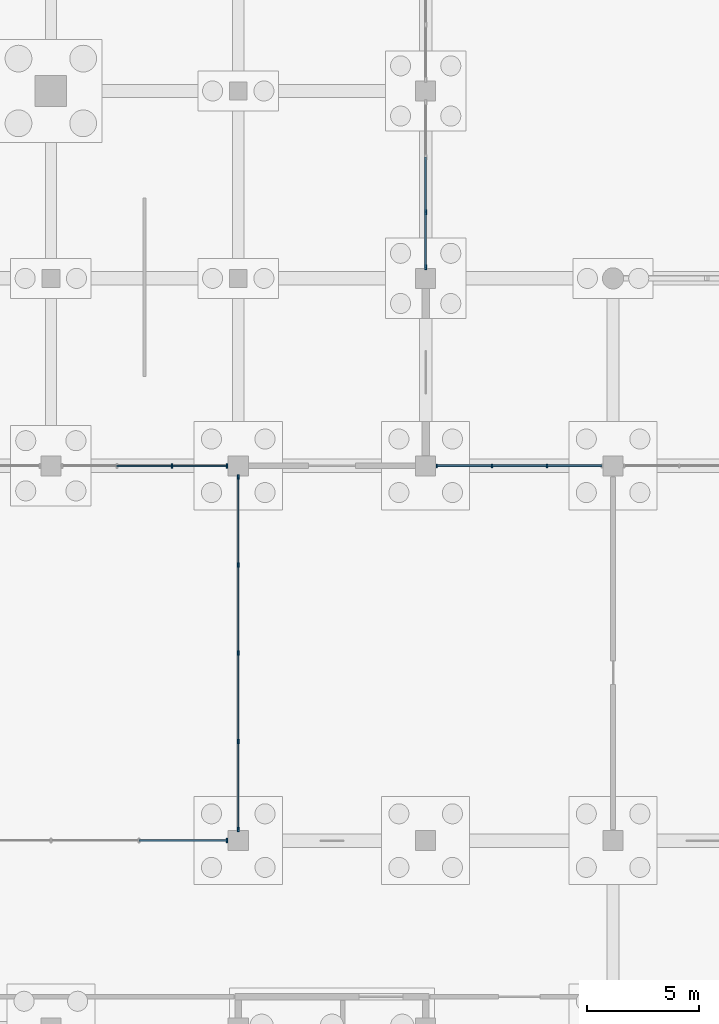
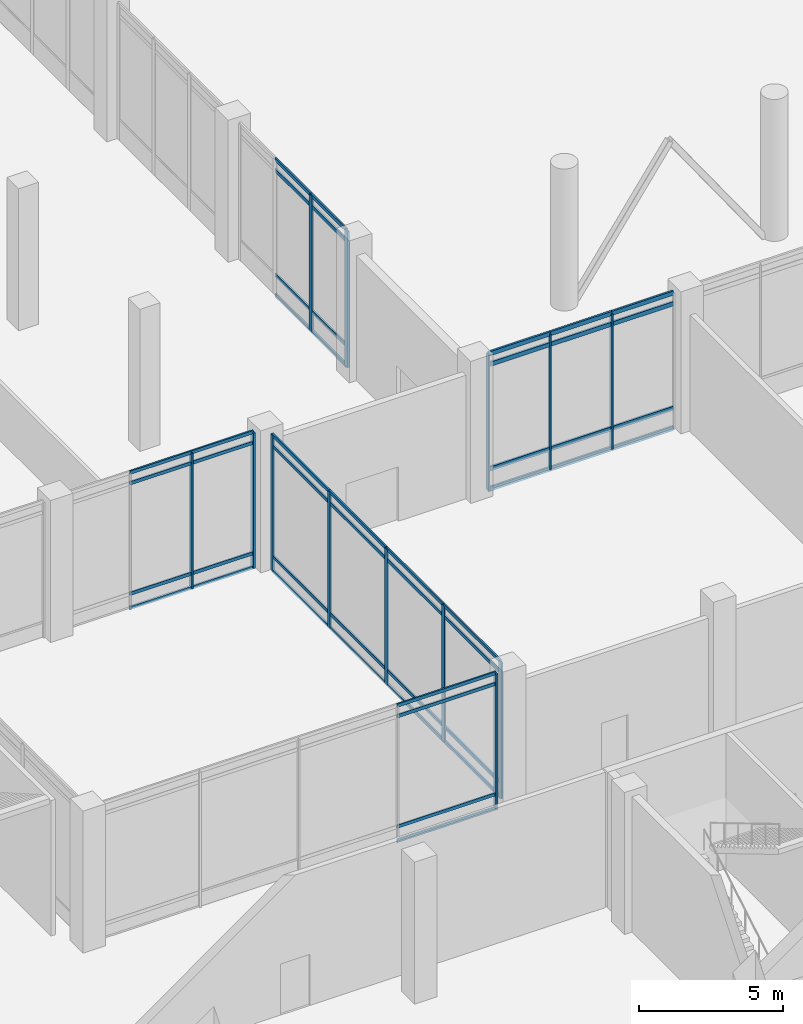
# One storey, part 21 of 72: 61 members, 5 elements without a shape of their own.
"""IFC4 building model written with IfcOpenShell, lengths in metres."""

from ifc_helpers import new_model, si_unit, direction, frame, origin, origin_2d, place, context, subcontext, project, spatial, rectangle, extrude, material, layer, layer_set, material_profile, profile_set, type_object, element, aggregate, save


model = new_model("IFC4")

# Units and contexts
model_context = context("Model", 3, precision=1e-05, world=origin(), true_north=direction((0.0, 1.0)))
body_context = subcontext(model_context, "Body", "Model", "MODEL_VIEW")
ifc_project = project(units=[si_unit("LENGTHUNIT", "METRE"), si_unit("AREAUNIT", "SQUARE_METRE"), si_unit("VOLUMEUNIT", "CUBIC_METRE"), si_unit("PLANEANGLEUNIT", "RADIAN"), si_unit("MASSUNIT", "GRAM", prefix="KILO")], contexts=[model_context])

# Site, building, storey
site_placement = place(None, origin())
site = spatial("IfcSite", under=ifc_project, at=site_placement, CompositionType="ELEMENT")
building_placement = place(site_placement, origin())
building = spatial("IfcBuilding", under=site, at=building_placement, Name="Qawsi Khor Wholesale Market", CompositionType="ELEMENT")
storey_placement = place(building_placement, origin())
storey = spatial("IfcBuildingStorey", under=building, at=storey_placement, Name="L00", CompositionType="ELEMENT", Elevation=0.0)

# Curtain wall, member
ifc_material = material(Name="Aluminium Anodised Bronze", Category="aluminium")
ifc_layer_1 = layer(ifc_material, 0.179931640625, Name="Aluminium Anodised Bronze")
ifc_layer_set_1 = layer_set([ifc_layer_1], Name="Aluminium Anodised Bronze")
curtain_wall_type_1 = type_object("IfcCurtainWallType", Name="Atrium Full-Height Curtain Wall CW-02", PredefinedType="NOTDEFINED", material=ifc_layer_set_1)
curtain_wall_1_placement = place(storey_placement, origin())
curtain_wall_1 = element("IfcCurtainWall", 1, at=curtain_wall_1_placement, inside=storey, type_object=curtain_wall_type_1, Name="Curtain wall CW-CW-02-L00-011", PredefinedType="NOTDEFINED")
ifc_material_profile_1 = material_profile(ifc_material, rectangle(XDim=0.070068359375, YDim=0.199951171875, at=origin_2d()), Name="ALU MULLION 70x200")
ifc_profile_set_1 = profile_set([ifc_material_profile_1], Name="Aluminium Anodised Bronze")
member_type_1 = type_object("IfcMemberType", Name="Curtain Wall Mullion CW-02 ALU MULLION 70x200", PredefinedType="MULLION", material=ifc_profile_set_1)
member_1_placement = place(storey_placement, frame((66.705078125, 25.199951171875, -0.02001953125), z_axis=(0.0, 0.0, 1.0), x_axis=(1.0, 0.0, 0.0)))
member_1 = element("IfcMember", 2, at=member_1_placement, type_object=member_type_1, Name="Mullion CW-CW-02-L00-011-M04", PredefinedType="MULLION", context=body_context, shape_type="SweptSolid", body=[
    extrude(rectangle(XDim=0.070068359375, YDim=0.199951171875, at=origin_2d()), origin(), (0.0, 0.0, 1.0), 5.739990234375),
])

# Curtain wall, members
curtain_wall_2_placement = place(storey_placement, origin())
curtain_wall_2 = element("IfcCurtainWall", 3, at=curtain_wall_2_placement, inside=storey, type_object=curtain_wall_type_1, Name="Curtain wall CW-CW-02-L00-013", PredefinedType="NOTDEFINED")
member_2_placement = place(storey_placement, frame((64.235107421875, 42.0, -0.02001953125), z_axis=(0.0, 0.0, 1.0), x_axis=(1.0, 0.0, 0.0)))
member_2 = element("IfcMember", 4, at=member_2_placement, type_object=member_type_1, Name="Mullion CW-CW-02-L00-013-M02", PredefinedType="MULLION", context=body_context, shape_type="SweptSolid", body=[
    extrude(rectangle(XDim=0.070068359375, YDim=0.199951171875, at=origin_2d()), origin(), (0.0, 0.0, 1.0), 5.739990234375),
])
member_3_placement = place(storey_placement, frame((66.705078125, 42.0, -0.02001953125), z_axis=(0.0, 0.0, 1.0), x_axis=(1.0, 0.0, 0.0)))
member_3 = element("IfcMember", 5, at=member_3_placement, type_object=member_type_1, Name="Mullion CW-CW-02-L00-013-M03", PredefinedType="MULLION", context=body_context, shape_type="SweptSolid", body=[
    extrude(rectangle(XDim=0.070068359375, YDim=0.199951171875, at=origin_2d()), origin(), (0.0, 0.0, 1.0), 5.739990234375),
])

curtain_wall_3_placement = place(storey_placement, origin())
curtain_wall_3 = element("IfcCurtainWall", 6, at=curtain_wall_3_placement, inside=storey, type_object=curtain_wall_type_1, Name="Curtain wall CW-CW-02-L00-015", PredefinedType="NOTDEFINED")
member_4_placement = place(storey_placement, frame((67.199951171875, 25.695068359375, -0.02001953125), z_axis=(0.0, 0.0, 1.0), x_axis=(1.0, 0.0, 0.0)))
member_4 = element("IfcMember", 7, at=member_4_placement, type_object=member_type_1, Name="Mullion CW-CW-02-L00-015-M00", PredefinedType="MULLION", context=body_context, shape_type="SweptSolid", body=[
    extrude(rectangle(XDim=0.070068359375, YDim=0.199951171875, at=origin_2d()), origin(), (0.0, 0.0, 1.0), 5.739990234375),
])
member_5_placement = place(storey_placement, frame((67.199951171875, 29.6474609375, -0.02001953125), z_axis=(0.0, 0.0, 1.0), x_axis=(1.0, 0.0, 0.0)))
member_5 = element("IfcMember", 8, at=member_5_placement, type_object=member_type_1, Name="Mullion CW-CW-02-L00-015-M01", PredefinedType="MULLION", context=body_context, shape_type="SweptSolid", body=[
    extrude(rectangle(XDim=0.070068359375, YDim=0.199951171875, at=origin_2d()), origin(), (0.0, 0.0, 1.0), 5.739990234375),
])
member_6_placement = place(storey_placement, frame((67.199951171875, 33.60009765625, -0.02001953125), z_axis=(0.0, 0.0, 1.0), x_axis=(1.0, 0.0, 0.0)))
member_6 = element("IfcMember", 9, at=member_6_placement, type_object=member_type_1, Name="Mullion CW-CW-02-L00-015-M02", PredefinedType="MULLION", context=body_context, shape_type="SweptSolid", body=[
    extrude(rectangle(XDim=0.070068359375, YDim=0.199951171875, at=origin_2d()), origin(), (0.0, 0.0, 1.0), 5.739990234375),
])
member_7_placement = place(storey_placement, frame((67.199951171875, 37.552490234375, -0.02001953125), z_axis=(0.0, 0.0, 1.0), x_axis=(1.0, 0.0, 0.0)))
member_7 = element("IfcMember", 10, at=member_7_placement, type_object=member_type_1, Name="Mullion CW-CW-02-L00-015-M03", PredefinedType="MULLION", context=body_context, shape_type="SweptSolid", body=[
    extrude(rectangle(XDim=0.070068359375, YDim=0.199951171875, at=origin_2d()), origin(), (0.0, 0.0, 1.0), 5.739990234375),
])
member_8_placement = place(storey_placement, frame((67.199951171875, 41.5048828125, -0.02001953125), z_axis=(0.0, 0.0, 1.0), x_axis=(1.0, 0.0, 0.0)))
member_8 = element("IfcMember", 11, at=member_8_placement, type_object=member_type_1, Name="Mullion CW-CW-02-L00-015-M04", PredefinedType="MULLION", context=body_context, shape_type="SweptSolid", body=[
    extrude(rectangle(XDim=0.070068359375, YDim=0.199951171875, at=origin_2d()), origin(), (0.0, 0.0, 1.0), 5.739990234375),
])

ifc_layer_2 = layer(ifc_material, 0.199951171875, Name="Aluminium Anodised Bronze")
ifc_layer_set_2 = layer_set([ifc_layer_2], Name="Aluminium Anodised Bronze")
curtain_wall_type_2 = type_object("IfcCurtainWallType", Name="Trading Hall North-Light Curtain Wall CW-03", PredefinedType="NOTDEFINED", material=ifc_layer_set_2)
curtain_wall_4_placement = place(storey_placement, origin())
curtain_wall_4 = element("IfcCurtainWall", 12, at=curtain_wall_4_placement, inside=storey, type_object=curtain_wall_type_2, Name="Curtain wall CW-CW-03-L00-072", PredefinedType="NOTDEFINED")
ifc_material_profile_2 = material_profile(ifc_material, rectangle(XDim=0.074951171875, YDim=0.219970703125, at=origin_2d()), Name="ALU MULLION 75x220")
ifc_profile_set_2 = profile_set([ifc_material_profile_2], Name="Aluminium Anodised Bronze")
member_type_2 = type_object("IfcMemberType", Name="Curtain Wall Mullion CW-03 ALU MULLION 75x220", PredefinedType="MULLION", material=ifc_profile_set_2)
member_9_placement = place(storey_placement, frame((75.60009765625, 50.8974609375, -0.02001953125), z_axis=(0.0, 0.0, 1.0), x_axis=(1.0, 0.0, 0.0)))
member_9 = element("IfcMember", 13, at=member_9_placement, type_object=member_type_2, Name="Mullion CW-CW-03-L00-072-M00", PredefinedType="MULLION", context=body_context, shape_type="SweptSolid", body=[
    extrude(rectangle(XDim=0.074951171875, YDim=0.219970703125, at=origin_2d()), origin(), (0.0, 0.0, 1.0), 5.75),
])
member_10_placement = place(storey_placement, frame((75.60009765625, 53.36572265625, -0.02001953125), z_axis=(0.0, 0.0, 1.0), x_axis=(1.0, 0.0, 0.0)))
member_10 = element("IfcMember", 14, at=member_10_placement, type_object=member_type_2, Name="Mullion CW-CW-03-L00-072-M01", PredefinedType="MULLION", context=body_context, shape_type="SweptSolid", body=[
    extrude(rectangle(XDim=0.074951171875, YDim=0.219970703125, at=origin_2d()), origin(), (0.0, 0.0, 1.0), 5.75),
])

ifc_layer_3 = layer(ifc_material, 0.169921875, Name="Aluminium Anodised Bronze")
ifc_layer_set_3 = layer_set([ifc_layer_3], Name="Aluminium Anodised Bronze")
curtain_wall_type_3 = type_object("IfcCurtainWallType", Name="Central Court Gallery Curtain Wall CW-05", PredefinedType="NOTDEFINED", material=ifc_layer_set_3)
curtain_wall_5_placement = place(storey_placement, origin())
curtain_wall_5 = element("IfcCurtainWall", 15, at=curtain_wall_5_placement, inside=storey, type_object=curtain_wall_type_3, Name="Curtain wall CW-CW-05-L00-054", PredefinedType="NOTDEFINED")
ifc_material_profile_3 = material_profile(ifc_material, rectangle(XDim=0.06005859375, YDim=0.159912109375, at=origin_2d()), Name="ALU MULLION 60x160")
ifc_profile_set_3 = profile_set([ifc_material_profile_3], Name="Aluminium Anodised Bronze")
member_type_3 = type_object("IfcMemberType", Name="Curtain Wall Mullion CW-05 ALU MULLION 60x160", PredefinedType="MULLION", material=ifc_profile_set_3)
member_11_placement = place(storey_placement, frame((76.10009765625, 42.0, -0.02001953125), z_axis=(0.0, 0.0, 1.0), x_axis=(1.0, 0.0, 0.0)))
member_11 = element("IfcMember", 16, at=member_11_placement, type_object=member_type_3, Name="Mullion CW-CW-05-L00-054-M00", PredefinedType="MULLION", context=body_context, shape_type="SweptSolid", body=[
    extrude(rectangle(XDim=0.06005859375, YDim=0.159912109375, at=origin_2d()), origin(), (0.0, 0.0, 1.0), 5.739990234375),
])
member_12_placement = place(storey_placement, frame((78.566650390625, 42.0, -0.02001953125), z_axis=(0.0, 0.0, 1.0), x_axis=(1.0, 0.0, 0.0)))
member_12 = element("IfcMember", 17, at=member_12_placement, type_object=member_type_3, Name="Mullion CW-CW-05-L00-054-M01", PredefinedType="MULLION", context=body_context, shape_type="SweptSolid", body=[
    extrude(rectangle(XDim=0.06005859375, YDim=0.159912109375, at=origin_2d()), origin(), (0.0, 0.0, 1.0), 5.739990234375),
])
member_13_placement = place(storey_placement, frame((81.033203125, 42.0, -0.02001953125), z_axis=(0.0, 0.0, 1.0), x_axis=(1.0, 0.0, 0.0)))
member_13 = element("IfcMember", 18, at=member_13_placement, type_object=member_type_3, Name="Mullion CW-CW-05-L00-054-M02", PredefinedType="MULLION", context=body_context, shape_type="SweptSolid", body=[
    extrude(rectangle(XDim=0.06005859375, YDim=0.159912109375, at=origin_2d()), origin(), (0.0, 0.0, 1.0), 5.739990234375),
])

# Member
ifc_material_profile_4 = material_profile(ifc_material, rectangle(XDim=0.06494140625, YDim=0.139892578125, at=origin_2d()), Name="ALU TRANSOM 65x140")
ifc_profile_set_4 = profile_set([ifc_material_profile_4], Name="Aluminium Anodised Bronze")
member_type_4 = type_object("IfcMemberType", Name="Curtain Wall Transom CW-02 ALU TRANSOM 65x140", PredefinedType="USERDEFINED", material=ifc_profile_set_4)
member_14_placement = place(storey_placement, frame((62.75244140625, 25.199951171875, 0.0), z_axis=(1.0, 0.0, 0.0), x_axis=(0.0, 1.0, 0.0)))
member_14 = element("IfcMember", 19, at=member_14_placement, type_object=member_type_4, Name="Transom CW-CW-02-L00-011-T0_03", ObjectType="TRANSOM", PredefinedType="USERDEFINED", context=body_context, shape_type="SweptSolid", body=[
    extrude(rectangle(XDim=0.06494140625, YDim=0.139892578125, at=origin_2d()), origin(), (0.0, 0.0, 1.0), 3.95263671875),
])

member_15_placement = place(storey_placement, frame((62.75244140625, 25.199951171875, 0.60009765625), z_axis=(1.0, 0.0, 0.0), x_axis=(0.0, 1.0, 0.0)))
member_15 = element("IfcMember", 20, at=member_15_placement, type_object=member_type_4, Name="Transom CW-CW-02-L00-011-T1_03", ObjectType="TRANSOM", PredefinedType="USERDEFINED", context=body_context, shape_type="SweptSolid", body=[
    extrude(rectangle(XDim=0.06494140625, YDim=0.139892578125, at=origin_2d()), origin(), (0.0, 0.0, 1.0), 3.95263671875),
])

member_16_placement = place(storey_placement, frame((62.75244140625, 25.199951171875, 5.27001953125), z_axis=(1.0, 0.0, 0.0), x_axis=(0.0, 1.0, 0.0)))
member_16 = element("IfcMember", 21, at=member_16_placement, type_object=member_type_4, Name="Transom CW-CW-02-L00-011-T2_03", ObjectType="TRANSOM", PredefinedType="USERDEFINED", context=body_context, shape_type="SweptSolid", body=[
    extrude(rectangle(XDim=0.06494140625, YDim=0.139892578125, at=origin_2d()), origin(), (0.0, 0.0, 1.0), 3.95263671875),
])

member_17_placement = place(storey_placement, frame((62.75244140625, 25.199951171875, 5.719970703125), z_axis=(1.0, 0.0, 0.0), x_axis=(0.0, 1.0, 0.0)))
member_17 = element("IfcMember", 22, at=member_17_placement, type_object=member_type_4, Name="Transom CW-CW-02-L00-011-T3_03", ObjectType="TRANSOM", PredefinedType="USERDEFINED", context=body_context, shape_type="SweptSolid", body=[
    extrude(rectangle(XDim=0.06494140625, YDim=0.139892578125, at=origin_2d()), origin(), (0.0, 0.0, 1.0), 3.95263671875),
])

aggregate(curtain_wall_1, [member_1, member_14, member_15, member_16, member_17])

member_18_placement = place(storey_placement, frame((61.764892578125, 42.0, 0.0), z_axis=(1.0, 0.0, 0.0), x_axis=(0.0, 1.0, 0.0)))
member_18 = element("IfcMember", 23, at=member_18_placement, type_object=member_type_4, Name="Transom CW-CW-02-L00-013-T0_01", ObjectType="TRANSOM", PredefinedType="USERDEFINED", context=body_context, shape_type="SweptSolid", body=[
    extrude(rectangle(XDim=0.06494140625, YDim=0.139892578125, at=origin_2d()), origin(), (0.0, 0.0, 1.0), 2.47021484375),
])

member_19_placement = place(storey_placement, frame((64.235107421875, 42.0, 0.0), z_axis=(1.0, 0.0, 0.0), x_axis=(0.0, 1.0, 0.0)))
member_19 = element("IfcMember", 24, at=member_19_placement, type_object=member_type_4, Name="Transom CW-CW-02-L00-013-T0_02", ObjectType="TRANSOM", PredefinedType="USERDEFINED", context=body_context, shape_type="SweptSolid", body=[
    extrude(rectangle(XDim=0.06494140625, YDim=0.139892578125, at=origin_2d()), origin(), (0.0, 0.0, 1.0), 2.469970703125),
])

member_20_placement = place(storey_placement, frame((61.764892578125, 42.0, 0.60009765625), z_axis=(1.0, 0.0, 0.0), x_axis=(0.0, 1.0, 0.0)))
member_20 = element("IfcMember", 25, at=member_20_placement, type_object=member_type_4, Name="Transom CW-CW-02-L00-013-T1_01", ObjectType="TRANSOM", PredefinedType="USERDEFINED", context=body_context, shape_type="SweptSolid", body=[
    extrude(rectangle(XDim=0.06494140625, YDim=0.139892578125, at=origin_2d()), origin(), (0.0, 0.0, 1.0), 2.47021484375),
])

member_21_placement = place(storey_placement, frame((64.235107421875, 42.0, 0.60009765625), z_axis=(1.0, 0.0, 0.0), x_axis=(0.0, 1.0, 0.0)))
member_21 = element("IfcMember", 26, at=member_21_placement, type_object=member_type_4, Name="Transom CW-CW-02-L00-013-T1_02", ObjectType="TRANSOM", PredefinedType="USERDEFINED", context=body_context, shape_type="SweptSolid", body=[
    extrude(rectangle(XDim=0.06494140625, YDim=0.139892578125, at=origin_2d()), origin(), (0.0, 0.0, 1.0), 2.469970703125),
])

member_22_placement = place(storey_placement, frame((61.764892578125, 42.0, 5.27001953125), z_axis=(1.0, 0.0, 0.0), x_axis=(0.0, 1.0, 0.0)))
member_22 = element("IfcMember", 27, at=member_22_placement, type_object=member_type_4, Name="Transom CW-CW-02-L00-013-T2_01", ObjectType="TRANSOM", PredefinedType="USERDEFINED", context=body_context, shape_type="SweptSolid", body=[
    extrude(rectangle(XDim=0.06494140625, YDim=0.139892578125, at=origin_2d()), origin(), (0.0, 0.0, 1.0), 2.47021484375),
])

member_23_placement = place(storey_placement, frame((64.235107421875, 42.0, 5.27001953125), z_axis=(1.0, 0.0, 0.0), x_axis=(0.0, 1.0, 0.0)))
member_23 = element("IfcMember", 28, at=member_23_placement, type_object=member_type_4, Name="Transom CW-CW-02-L00-013-T2_02", ObjectType="TRANSOM", PredefinedType="USERDEFINED", context=body_context, shape_type="SweptSolid", body=[
    extrude(rectangle(XDim=0.06494140625, YDim=0.139892578125, at=origin_2d()), origin(), (0.0, 0.0, 1.0), 2.469970703125),
])

member_24_placement = place(storey_placement, frame((61.764892578125, 42.0, 5.719970703125), z_axis=(1.0, 0.0, 0.0), x_axis=(0.0, 1.0, 0.0)))
member_24 = element("IfcMember", 29, at=member_24_placement, type_object=member_type_4, Name="Transom CW-CW-02-L00-013-T3_01", ObjectType="TRANSOM", PredefinedType="USERDEFINED", context=body_context, shape_type="SweptSolid", body=[
    extrude(rectangle(XDim=0.06494140625, YDim=0.139892578125, at=origin_2d()), origin(), (0.0, 0.0, 1.0), 2.47021484375),
])

member_25_placement = place(storey_placement, frame((64.235107421875, 42.0, 5.719970703125), z_axis=(1.0, 0.0, 0.0), x_axis=(0.0, 1.0, 0.0)))
member_25 = element("IfcMember", 30, at=member_25_placement, type_object=member_type_4, Name="Transom CW-CW-02-L00-013-T3_02", ObjectType="TRANSOM", PredefinedType="USERDEFINED", context=body_context, shape_type="SweptSolid", body=[
    extrude(rectangle(XDim=0.06494140625, YDim=0.139892578125, at=origin_2d()), origin(), (0.0, 0.0, 1.0), 2.469970703125),
])

aggregate(curtain_wall_2, [member_2, member_3, member_18, member_19, member_20, member_21, member_22, member_23, member_24, member_25])

member_26_placement = place(storey_placement, frame((67.199951171875, 25.695068359375, 0.0), z_axis=(0.0, 1.0, 0.0), x_axis=(-1.0, 0.0, 0.0)))
member_26 = element("IfcMember", 31, at=member_26_placement, type_object=member_type_4, Name="Transom CW-CW-02-L00-015-T0_00", ObjectType="TRANSOM", PredefinedType="USERDEFINED", context=body_context, shape_type="SweptSolid", body=[
    extrude(rectangle(XDim=0.06494140625, YDim=0.139892578125, at=origin_2d()), origin(), (0.0, 0.0, 1.0), 3.952392578125),
])

member_27_placement = place(storey_placement, frame((67.199951171875, 29.6474609375, 0.0), z_axis=(0.0, 1.0, 0.0), x_axis=(-1.0, 0.0, 0.0)))
member_27 = element("IfcMember", 32, at=member_27_placement, type_object=member_type_4, Name="Transom CW-CW-02-L00-015-T0_01", ObjectType="TRANSOM", PredefinedType="USERDEFINED", context=body_context, shape_type="SweptSolid", body=[
    extrude(rectangle(XDim=0.06494140625, YDim=0.139892578125, at=origin_2d()), origin(), (0.0, 0.0, 1.0), 3.95263671875),
])

member_28_placement = place(storey_placement, frame((67.199951171875, 33.60009765625, 0.0), z_axis=(0.0, 1.0, 0.0), x_axis=(-1.0, 0.0, 0.0)))
member_28 = element("IfcMember", 33, at=member_28_placement, type_object=member_type_4, Name="Transom CW-CW-02-L00-015-T0_02", ObjectType="TRANSOM", PredefinedType="USERDEFINED", context=body_context, shape_type="SweptSolid", body=[
    extrude(rectangle(XDim=0.06494140625, YDim=0.139892578125, at=origin_2d()), origin(), (0.0, 0.0, 1.0), 3.952392578125),
])

member_29_placement = place(storey_placement, frame((67.199951171875, 37.552490234375, 0.0), z_axis=(0.0, 1.0, 0.0), x_axis=(-1.0, 0.0, 0.0)))
member_29 = element("IfcMember", 34, at=member_29_placement, type_object=member_type_4, Name="Transom CW-CW-02-L00-015-T0_03", ObjectType="TRANSOM", PredefinedType="USERDEFINED", context=body_context, shape_type="SweptSolid", body=[
    extrude(rectangle(XDim=0.06494140625, YDim=0.139892578125, at=origin_2d()), origin(), (0.0, 0.0, 1.0), 3.952392578125),
])

member_30_placement = place(storey_placement, frame((67.199951171875, 25.695068359375, 0.60009765625), z_axis=(0.0, 1.0, 0.0), x_axis=(-1.0, 0.0, 0.0)))
member_30 = element("IfcMember", 35, at=member_30_placement, type_object=member_type_4, Name="Transom CW-CW-02-L00-015-T1_00", ObjectType="TRANSOM", PredefinedType="USERDEFINED", context=body_context, shape_type="SweptSolid", body=[
    extrude(rectangle(XDim=0.06494140625, YDim=0.139892578125, at=origin_2d()), origin(), (0.0, 0.0, 1.0), 3.952392578125),
])

member_31_placement = place(storey_placement, frame((67.199951171875, 29.6474609375, 0.60009765625), z_axis=(0.0, 1.0, 0.0), x_axis=(-1.0, 0.0, 0.0)))
member_31 = element("IfcMember", 36, at=member_31_placement, type_object=member_type_4, Name="Transom CW-CW-02-L00-015-T1_01", ObjectType="TRANSOM", PredefinedType="USERDEFINED", context=body_context, shape_type="SweptSolid", body=[
    extrude(rectangle(XDim=0.06494140625, YDim=0.139892578125, at=origin_2d()), origin(), (0.0, 0.0, 1.0), 3.95263671875),
])

member_32_placement = place(storey_placement, frame((67.199951171875, 33.60009765625, 0.60009765625), z_axis=(0.0, 1.0, 0.0), x_axis=(-1.0, 0.0, 0.0)))
member_32 = element("IfcMember", 37, at=member_32_placement, type_object=member_type_4, Name="Transom CW-CW-02-L00-015-T1_02", ObjectType="TRANSOM", PredefinedType="USERDEFINED", context=body_context, shape_type="SweptSolid", body=[
    extrude(rectangle(XDim=0.06494140625, YDim=0.139892578125, at=origin_2d()), origin(), (0.0, 0.0, 1.0), 3.952392578125),
])

member_33_placement = place(storey_placement, frame((67.199951171875, 37.552490234375, 0.60009765625), z_axis=(0.0, 1.0, 0.0), x_axis=(-1.0, 0.0, 0.0)))
member_33 = element("IfcMember", 38, at=member_33_placement, type_object=member_type_4, Name="Transom CW-CW-02-L00-015-T1_03", ObjectType="TRANSOM", PredefinedType="USERDEFINED", context=body_context, shape_type="SweptSolid", body=[
    extrude(rectangle(XDim=0.06494140625, YDim=0.139892578125, at=origin_2d()), origin(), (0.0, 0.0, 1.0), 3.952392578125),
])

member_34_placement = place(storey_placement, frame((67.199951171875, 25.695068359375, 5.27001953125), z_axis=(0.0, 1.0, 0.0), x_axis=(-1.0, 0.0, 0.0)))
member_34 = element("IfcMember", 39, at=member_34_placement, type_object=member_type_4, Name="Transom CW-CW-02-L00-015-T2_00", ObjectType="TRANSOM", PredefinedType="USERDEFINED", context=body_context, shape_type="SweptSolid", body=[
    extrude(rectangle(XDim=0.06494140625, YDim=0.139892578125, at=origin_2d()), origin(), (0.0, 0.0, 1.0), 3.952392578125),
])

member_35_placement = place(storey_placement, frame((67.199951171875, 29.6474609375, 5.27001953125), z_axis=(0.0, 1.0, 0.0), x_axis=(-1.0, 0.0, 0.0)))
member_35 = element("IfcMember", 40, at=member_35_placement, type_object=member_type_4, Name="Transom CW-CW-02-L00-015-T2_01", ObjectType="TRANSOM", PredefinedType="USERDEFINED", context=body_context, shape_type="SweptSolid", body=[
    extrude(rectangle(XDim=0.06494140625, YDim=0.139892578125, at=origin_2d()), origin(), (0.0, 0.0, 1.0), 3.95263671875),
])

member_36_placement = place(storey_placement, frame((67.199951171875, 33.60009765625, 5.27001953125), z_axis=(0.0, 1.0, 0.0), x_axis=(-1.0, 0.0, 0.0)))
member_36 = element("IfcMember", 41, at=member_36_placement, type_object=member_type_4, Name="Transom CW-CW-02-L00-015-T2_02", ObjectType="TRANSOM", PredefinedType="USERDEFINED", context=body_context, shape_type="SweptSolid", body=[
    extrude(rectangle(XDim=0.06494140625, YDim=0.139892578125, at=origin_2d()), origin(), (0.0, 0.0, 1.0), 3.952392578125),
])

member_37_placement = place(storey_placement, frame((67.199951171875, 37.552490234375, 5.27001953125), z_axis=(0.0, 1.0, 0.0), x_axis=(-1.0, 0.0, 0.0)))
member_37 = element("IfcMember", 42, at=member_37_placement, type_object=member_type_4, Name="Transom CW-CW-02-L00-015-T2_03", ObjectType="TRANSOM", PredefinedType="USERDEFINED", context=body_context, shape_type="SweptSolid", body=[
    extrude(rectangle(XDim=0.06494140625, YDim=0.139892578125, at=origin_2d()), origin(), (0.0, 0.0, 1.0), 3.952392578125),
])

member_38_placement = place(storey_placement, frame((67.199951171875, 25.695068359375, 5.719970703125), z_axis=(0.0, 1.0, 0.0), x_axis=(-1.0, 0.0, 0.0)))
member_38 = element("IfcMember", 43, at=member_38_placement, type_object=member_type_4, Name="Transom CW-CW-02-L00-015-T3_00", ObjectType="TRANSOM", PredefinedType="USERDEFINED", context=body_context, shape_type="SweptSolid", body=[
    extrude(rectangle(XDim=0.06494140625, YDim=0.139892578125, at=origin_2d()), origin(), (0.0, 0.0, 1.0), 3.952392578125),
])

member_39_placement = place(storey_placement, frame((67.199951171875, 29.6474609375, 5.719970703125), z_axis=(0.0, 1.0, 0.0), x_axis=(-1.0, 0.0, 0.0)))
member_39 = element("IfcMember", 44, at=member_39_placement, type_object=member_type_4, Name="Transom CW-CW-02-L00-015-T3_01", ObjectType="TRANSOM", PredefinedType="USERDEFINED", context=body_context, shape_type="SweptSolid", body=[
    extrude(rectangle(XDim=0.06494140625, YDim=0.139892578125, at=origin_2d()), origin(), (0.0, 0.0, 1.0), 3.95263671875),
])

member_40_placement = place(storey_placement, frame((67.199951171875, 33.60009765625, 5.719970703125), z_axis=(0.0, 1.0, 0.0), x_axis=(-1.0, 0.0, 0.0)))
member_40 = element("IfcMember", 45, at=member_40_placement, type_object=member_type_4, Name="Transom CW-CW-02-L00-015-T3_02", ObjectType="TRANSOM", PredefinedType="USERDEFINED", context=body_context, shape_type="SweptSolid", body=[
    extrude(rectangle(XDim=0.06494140625, YDim=0.139892578125, at=origin_2d()), origin(), (0.0, 0.0, 1.0), 3.952392578125),
])

member_41_placement = place(storey_placement, frame((67.199951171875, 37.552490234375, 5.719970703125), z_axis=(0.0, 1.0, 0.0), x_axis=(-1.0, 0.0, 0.0)))
member_41 = element("IfcMember", 46, at=member_41_placement, type_object=member_type_4, Name="Transom CW-CW-02-L00-015-T3_03", ObjectType="TRANSOM", PredefinedType="USERDEFINED", context=body_context, shape_type="SweptSolid", body=[
    extrude(rectangle(XDim=0.06494140625, YDim=0.139892578125, at=origin_2d()), origin(), (0.0, 0.0, 1.0), 3.952392578125),
])

aggregate(curtain_wall_3, [member_4, member_5, member_6, member_7, member_8, member_26, member_27, member_28, member_29, member_30, member_31, member_32, member_33, member_34, member_35, member_36, member_37, member_38, member_39, member_40, member_41])

ifc_material_profile_5 = material_profile(ifc_material, rectangle(XDim=0.070068359375, YDim=0.14990234375, at=origin_2d()), Name="ALU TRANSOM 70x150")
ifc_profile_set_5 = profile_set([ifc_material_profile_5], Name="Aluminium Anodised Bronze")
member_type_5 = type_object("IfcMemberType", Name="Curtain Wall Transom CW-03 ALU TRANSOM 70x150", PredefinedType="USERDEFINED", material=ifc_profile_set_5)
member_42_placement = place(storey_placement, frame((75.60009765625, 50.8974609375, 0.0), z_axis=(0.0, 1.0, 0.0), x_axis=(-1.0, 0.0, 0.0)))
member_42 = element("IfcMember", 47, at=member_42_placement, type_object=member_type_5, Name="Transom CW-CW-03-L00-072-T0_00", ObjectType="TRANSOM", PredefinedType="USERDEFINED", context=body_context, shape_type="SweptSolid", body=[
    extrude(rectangle(XDim=0.070068359375, YDim=0.14990234375, at=origin_2d()), origin(), (0.0, 0.0, 1.0), 2.46826171875),
])

member_43_placement = place(storey_placement, frame((75.60009765625, 53.36572265625, 0.0), z_axis=(0.0, 1.0, 0.0), x_axis=(-1.0, 0.0, 0.0)))
member_43 = element("IfcMember", 48, at=member_43_placement, type_object=member_type_5, Name="Transom CW-CW-03-L00-072-T0_01", ObjectType="TRANSOM", PredefinedType="USERDEFINED", context=body_context, shape_type="SweptSolid", body=[
    extrude(rectangle(XDim=0.070068359375, YDim=0.14990234375, at=origin_2d()), origin(), (0.0, 0.0, 1.0), 2.468505859375),
])

member_44_placement = place(storey_placement, frame((75.60009765625, 50.8974609375, 0.85009765625), z_axis=(0.0, 1.0, 0.0), x_axis=(-1.0, 0.0, 0.0)))
member_44 = element("IfcMember", 49, at=member_44_placement, type_object=member_type_5, Name="Transom CW-CW-03-L00-072-T1_00", ObjectType="TRANSOM", PredefinedType="USERDEFINED", context=body_context, shape_type="SweptSolid", body=[
    extrude(rectangle(XDim=0.070068359375, YDim=0.14990234375, at=origin_2d()), origin(), (0.0, 0.0, 1.0), 2.46826171875),
])

member_45_placement = place(storey_placement, frame((75.60009765625, 53.36572265625, 0.85009765625), z_axis=(0.0, 1.0, 0.0), x_axis=(-1.0, 0.0, 0.0)))
member_45 = element("IfcMember", 50, at=member_45_placement, type_object=member_type_5, Name="Transom CW-CW-03-L00-072-T1_01", ObjectType="TRANSOM", PredefinedType="USERDEFINED", context=body_context, shape_type="SweptSolid", body=[
    extrude(rectangle(XDim=0.070068359375, YDim=0.14990234375, at=origin_2d()), origin(), (0.0, 0.0, 1.0), 2.468505859375),
])

member_46_placement = place(storey_placement, frame((75.60009765625, 50.8974609375, 5.280029296875), z_axis=(0.0, 1.0, 0.0), x_axis=(-1.0, 0.0, 0.0)))
member_46 = element("IfcMember", 51, at=member_46_placement, type_object=member_type_5, Name="Transom CW-CW-03-L00-072-T2_00", ObjectType="TRANSOM", PredefinedType="USERDEFINED", context=body_context, shape_type="SweptSolid", body=[
    extrude(rectangle(XDim=0.070068359375, YDim=0.14990234375, at=origin_2d()), origin(), (0.0, 0.0, 1.0), 2.46826171875),
])

member_47_placement = place(storey_placement, frame((75.60009765625, 53.36572265625, 5.280029296875), z_axis=(0.0, 1.0, 0.0), x_axis=(-1.0, 0.0, 0.0)))
member_47 = element("IfcMember", 52, at=member_47_placement, type_object=member_type_5, Name="Transom CW-CW-03-L00-072-T2_01", ObjectType="TRANSOM", PredefinedType="USERDEFINED", context=body_context, shape_type="SweptSolid", body=[
    extrude(rectangle(XDim=0.070068359375, YDim=0.14990234375, at=origin_2d()), origin(), (0.0, 0.0, 1.0), 2.468505859375),
])

member_48_placement = place(storey_placement, frame((75.60009765625, 50.8974609375, 5.72998046875), z_axis=(0.0, 1.0, 0.0), x_axis=(-1.0, 0.0, 0.0)))
member_48 = element("IfcMember", 53, at=member_48_placement, type_object=member_type_5, Name="Transom CW-CW-03-L00-072-T3_00", ObjectType="TRANSOM", PredefinedType="USERDEFINED", context=body_context, shape_type="SweptSolid", body=[
    extrude(rectangle(XDim=0.070068359375, YDim=0.14990234375, at=origin_2d()), origin(), (0.0, 0.0, 1.0), 2.46826171875),
])

member_49_placement = place(storey_placement, frame((75.60009765625, 53.36572265625, 5.72998046875), z_axis=(0.0, 1.0, 0.0), x_axis=(-1.0, 0.0, 0.0)))
member_49 = element("IfcMember", 54, at=member_49_placement, type_object=member_type_5, Name="Transom CW-CW-03-L00-072-T3_01", ObjectType="TRANSOM", PredefinedType="USERDEFINED", context=body_context, shape_type="SweptSolid", body=[
    extrude(rectangle(XDim=0.070068359375, YDim=0.14990234375, at=origin_2d()), origin(), (0.0, 0.0, 1.0), 2.468505859375),
])

aggregate(curtain_wall_4, [member_9, member_10, member_42, member_43, member_44, member_45, member_46, member_47, member_48, member_49])

ifc_material_profile_6 = material_profile(ifc_material, rectangle(XDim=0.080078125, YDim=0.179931640625, at=origin_2d()), Name="ALU TRANSOM 80x180")
ifc_profile_set_6 = profile_set([ifc_material_profile_6], Name="Aluminium Anodised Bronze")
member_type_6 = type_object("IfcMemberType", Name="Curtain Wall Transom CW-05 ALU TRANSOM 80x180", PredefinedType="USERDEFINED", material=ifc_profile_set_6)
member_50_placement = place(storey_placement, frame((76.10009765625, 42.0, 0.0), z_axis=(1.0, 0.0, 0.0), x_axis=(0.0, 1.0, 0.0)))
member_50 = element("IfcMember", 55, at=member_50_placement, type_object=member_type_6, Name="Transom CW-CW-05-L00-054-T0_00", ObjectType="TRANSOM", PredefinedType="USERDEFINED", context=body_context, shape_type="SweptSolid", body=[
    extrude(rectangle(XDim=0.080078125, YDim=0.179931640625, at=origin_2d()), origin(), (0.0, 0.0, 1.0), 2.466552734375),
])

member_51_placement = place(storey_placement, frame((78.566650390625, 42.0, 0.0), z_axis=(1.0, 0.0, 0.0), x_axis=(0.0, 1.0, 0.0)))
member_51 = element("IfcMember", 56, at=member_51_placement, type_object=member_type_6, Name="Transom CW-CW-05-L00-054-T0_01", ObjectType="TRANSOM", PredefinedType="USERDEFINED", context=body_context, shape_type="SweptSolid", body=[
    extrude(rectangle(XDim=0.080078125, YDim=0.179931640625, at=origin_2d()), origin(), (0.0, 0.0, 1.0), 2.466552734375),
])

member_52_placement = place(storey_placement, frame((81.033203125, 42.0, 0.0), z_axis=(1.0, 0.0, 0.0), x_axis=(0.0, 1.0, 0.0)))
member_52 = element("IfcMember", 57, at=member_52_placement, type_object=member_type_6, Name="Transom CW-CW-05-L00-054-T0_02", ObjectType="TRANSOM", PredefinedType="USERDEFINED", context=body_context, shape_type="SweptSolid", body=[
    extrude(rectangle(XDim=0.080078125, YDim=0.179931640625, at=origin_2d()), origin(), (0.0, 0.0, 1.0), 2.466796875),
])

member_53_placement = place(storey_placement, frame((76.10009765625, 42.0, 0.85009765625), z_axis=(1.0, 0.0, 0.0), x_axis=(0.0, 1.0, 0.0)))
member_53 = element("IfcMember", 58, at=member_53_placement, type_object=member_type_6, Name="Transom CW-CW-05-L00-054-T1_00", ObjectType="TRANSOM", PredefinedType="USERDEFINED", context=body_context, shape_type="SweptSolid", body=[
    extrude(rectangle(XDim=0.080078125, YDim=0.179931640625, at=origin_2d()), origin(), (0.0, 0.0, 1.0), 2.466552734375),
])

member_54_placement = place(storey_placement, frame((78.566650390625, 42.0, 0.85009765625), z_axis=(1.0, 0.0, 0.0), x_axis=(0.0, 1.0, 0.0)))
member_54 = element("IfcMember", 59, at=member_54_placement, type_object=member_type_6, Name="Transom CW-CW-05-L00-054-T1_01", ObjectType="TRANSOM", PredefinedType="USERDEFINED", context=body_context, shape_type="SweptSolid", body=[
    extrude(rectangle(XDim=0.080078125, YDim=0.179931640625, at=origin_2d()), origin(), (0.0, 0.0, 1.0), 2.466552734375),
])

member_55_placement = place(storey_placement, frame((81.033203125, 42.0, 0.85009765625), z_axis=(1.0, 0.0, 0.0), x_axis=(0.0, 1.0, 0.0)))
member_55 = element("IfcMember", 60, at=member_55_placement, type_object=member_type_6, Name="Transom CW-CW-05-L00-054-T1_02", ObjectType="TRANSOM", PredefinedType="USERDEFINED", context=body_context, shape_type="SweptSolid", body=[
    extrude(rectangle(XDim=0.080078125, YDim=0.179931640625, at=origin_2d()), origin(), (0.0, 0.0, 1.0), 2.466796875),
])

member_56_placement = place(storey_placement, frame((76.10009765625, 42.0, 5.27001953125), z_axis=(1.0, 0.0, 0.0), x_axis=(0.0, 1.0, 0.0)))
member_56 = element("IfcMember", 61, at=member_56_placement, type_object=member_type_6, Name="Transom CW-CW-05-L00-054-T2_00", ObjectType="TRANSOM", PredefinedType="USERDEFINED", context=body_context, shape_type="SweptSolid", body=[
    extrude(rectangle(XDim=0.080078125, YDim=0.179931640625, at=origin_2d()), origin(), (0.0, 0.0, 1.0), 2.466552734375),
])

member_57_placement = place(storey_placement, frame((78.566650390625, 42.0, 5.27001953125), z_axis=(1.0, 0.0, 0.0), x_axis=(0.0, 1.0, 0.0)))
member_57 = element("IfcMember", 62, at=member_57_placement, type_object=member_type_6, Name="Transom CW-CW-05-L00-054-T2_01", ObjectType="TRANSOM", PredefinedType="USERDEFINED", context=body_context, shape_type="SweptSolid", body=[
    extrude(rectangle(XDim=0.080078125, YDim=0.179931640625, at=origin_2d()), origin(), (0.0, 0.0, 1.0), 2.466552734375),
])

member_58_placement = place(storey_placement, frame((81.033203125, 42.0, 5.27001953125), z_axis=(1.0, 0.0, 0.0), x_axis=(0.0, 1.0, 0.0)))
member_58 = element("IfcMember", 63, at=member_58_placement, type_object=member_type_6, Name="Transom CW-CW-05-L00-054-T2_02", ObjectType="TRANSOM", PredefinedType="USERDEFINED", context=body_context, shape_type="SweptSolid", body=[
    extrude(rectangle(XDim=0.080078125, YDim=0.179931640625, at=origin_2d()), origin(), (0.0, 0.0, 1.0), 2.466796875),
])

member_59_placement = place(storey_placement, frame((76.10009765625, 42.0, 5.719970703125), z_axis=(1.0, 0.0, 0.0), x_axis=(0.0, 1.0, 0.0)))
member_59 = element("IfcMember", 64, at=member_59_placement, type_object=member_type_6, Name="Transom CW-CW-05-L00-054-T3_00", ObjectType="TRANSOM", PredefinedType="USERDEFINED", context=body_context, shape_type="SweptSolid", body=[
    extrude(rectangle(XDim=0.080078125, YDim=0.179931640625, at=origin_2d()), origin(), (0.0, 0.0, 1.0), 2.466552734375),
])

member_60_placement = place(storey_placement, frame((78.566650390625, 42.0, 5.719970703125), z_axis=(1.0, 0.0, 0.0), x_axis=(0.0, 1.0, 0.0)))
member_60 = element("IfcMember", 65, at=member_60_placement, type_object=member_type_6, Name="Transom CW-CW-05-L00-054-T3_01", ObjectType="TRANSOM", PredefinedType="USERDEFINED", context=body_context, shape_type="SweptSolid", body=[
    extrude(rectangle(XDim=0.080078125, YDim=0.179931640625, at=origin_2d()), origin(), (0.0, 0.0, 1.0), 2.466552734375),
])

member_61_placement = place(storey_placement, frame((81.033203125, 42.0, 5.719970703125), z_axis=(1.0, 0.0, 0.0), x_axis=(0.0, 1.0, 0.0)))
member_61 = element("IfcMember", 66, at=member_61_placement, type_object=member_type_6, Name="Transom CW-CW-05-L00-054-T3_02", ObjectType="TRANSOM", PredefinedType="USERDEFINED", context=body_context, shape_type="SweptSolid", body=[
    extrude(rectangle(XDim=0.080078125, YDim=0.179931640625, at=origin_2d()), origin(), (0.0, 0.0, 1.0), 2.466796875),
])

aggregate(curtain_wall_5, [member_11, member_12, member_13, member_50, member_51, member_52, member_53, member_54, member_55, member_56, member_57, member_58, member_59, member_60, member_61])

save(model, "model.ifc")
